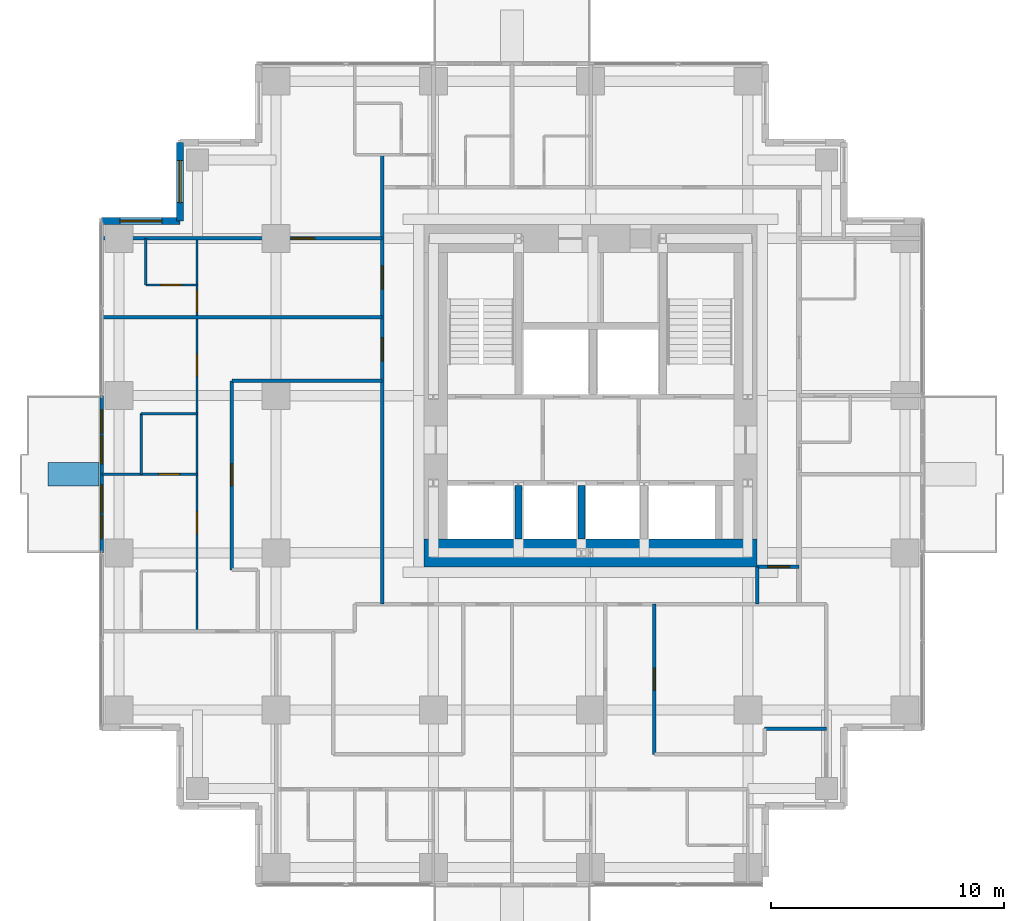
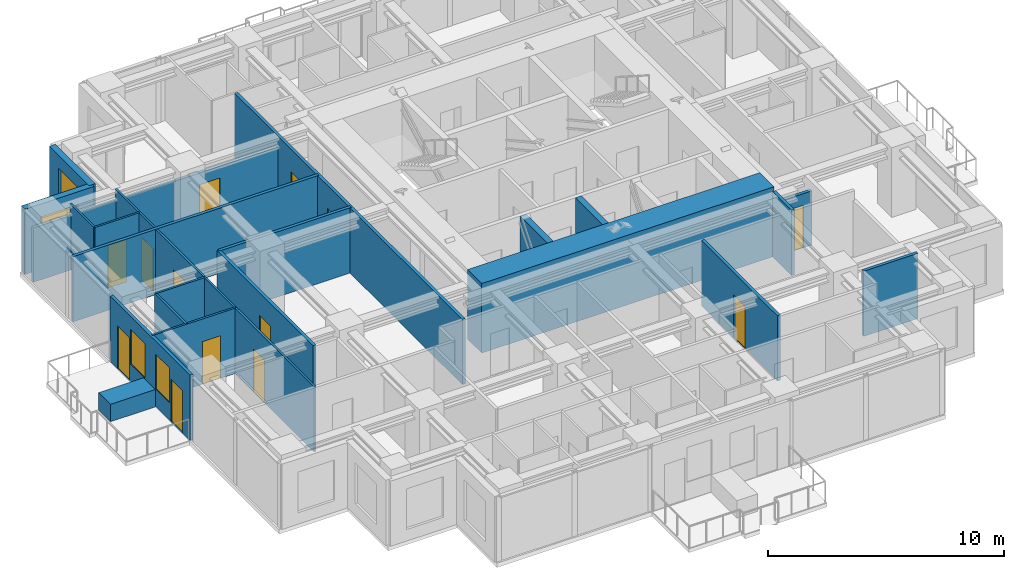
# One storey, part 6 of 10: 22 walls, 13 doors, 4 windows, 17 openings.
"""IFC4 building model written with IfcOpenShell, lengths in metres."""

from ifc_helpers import new_model, si_unit, direction, frame, frame_2d, origin, place, context, subcontext, project, spatial, rectangle, extrude, material, layer, layer_set, type_object, element, fill, save


model = new_model("IFC4")

# Units and contexts
model_context = context("Model", 3, precision=1e-05, world=origin(), true_north=direction((0.0, 1.0)))
body_context = subcontext(model_context, "Body", "Model", "MODEL_VIEW")
ifc_project = project(units=[si_unit("LENGTHUNIT", "METRE"), si_unit("AREAUNIT", "SQUARE_METRE"), si_unit("VOLUMEUNIT", "CUBIC_METRE"), si_unit("PLANEANGLEUNIT", "RADIAN"), si_unit("MASSUNIT", "GRAM", prefix="KILO")], contexts=[model_context])

# Site, building, storey
site_placement = place(None, origin())
site = spatial("IfcSite", under=ifc_project, at=site_placement, CompositionType="ELEMENT")
building_placement = place(site_placement, origin())
building = spatial("IfcBuilding", under=site, at=building_placement, Name="Nyansa Garden Tower", CompositionType="ELEMENT")
storey_placement = place(building_placement, frame((0.0, 0.0, 178.199951171875)))
storey = spatial("IfcBuildingStorey", under=building, at=storey_placement, Name="L48", CompositionType="ELEMENT", Elevation=178.199951171875)

# Wall, openings, doors, windows
ifc_material_1 = material(Name="Black aluminium framed glazed screen", Category="aluminium")
ifc_layer_1 = layer(ifc_material_1, 0.14990234375)
ifc_layer_set_1 = layer_set([ifc_layer_1], Name="Balcony screen wall BW150")
wall_type_1 = type_object("IfcWallType", Name="Balcony screen wall BW150", PredefinedType="SOLIDWALL", material=ifc_layer_set_1)
wall_1_placement = place(storey_placement, frame((-0.75, 13.5, 0.0), z_axis=(0.0, 0.0, 1.0), x_axis=(0.0, 1.0, 0.0)))
wall_1 = element("IfcWall", 1, at=wall_1_placement, inside=storey, type_object=wall_type_1, Name="Glazed screen wall L48 W", PredefinedType="SOLIDWALL", context=body_context, shape_type="SweptSolid", body=[
    extrude(rectangle(XDim=6.75, YDim=0.14990234375, at=frame_2d((3.375, 0.0))), origin(), (0.0, 0.0, 1.0), 3.375),
])
opening_1_placement = place(wall_1_placement, frame((0.612548828125, 0.0, 0.0)))
opening_1 = element("IfcOpeningElement", 2, at=opening_1_placement, cuts=wall_1, Name="Opening D20", PredefinedType="OPENING", context=body_context, shape_type="SweptSolid", body=[
    extrude(rectangle(XDim=1.0, YDim=2.199951171875, at=frame_2d((0.5, 1.10009765625))), frame((0.0, 0.0849609375, 0.0), z_axis=(0.0, -1.0, 0.0), x_axis=(1.0, 0.0, 0.0)), (0.0, 0.0, 1.0), 0.169921875),
])
opening_2_placement = place(wall_1_placement, frame((1.72509765625, 0.0, 0.89990234375)))
opening_2 = element("IfcOpeningElement", 3, at=opening_2_placement, cuts=wall_1, Name="Opening W6", PredefinedType="OPENING", context=body_context, shape_type="SweptSolid", body=[
    extrude(rectangle(XDim=1.199951171875, YDim=1.800048828125, at=frame_2d((0.60009765625, 0.89990234375))), frame((0.0, 0.0849609375, 0.0), z_axis=(0.0, -1.0, 0.0), x_axis=(1.0, 0.0, 0.0)), (0.0, 0.0, 1.0), 0.169921875),
])
opening_3_placement = place(wall_1_placement, frame((5.137451171875, 0.0, 0.0)))
opening_3 = element("IfcOpeningElement", 4, at=opening_3_placement, cuts=wall_1, Name="Opening D20", PredefinedType="OPENING", context=body_context, shape_type="SweptSolid", body=[
    extrude(rectangle(XDim=1.0, YDim=2.199951171875, at=frame_2d((0.5, 1.10009765625))), frame((0.0, 0.0849609375, 0.0), z_axis=(0.0, -1.0, 0.0), x_axis=(1.0, 0.0, 0.0)), (0.0, 0.0, 1.0), 0.169921875),
])
opening_4_placement = place(wall_1_placement, frame((3.824951171875, 0.0, 0.89990234375)))
opening_4 = element("IfcOpeningElement", 5, at=opening_4_placement, cuts=wall_1, Name="Opening W6", PredefinedType="OPENING", context=body_context, shape_type="SweptSolid", body=[
    extrude(rectangle(XDim=1.199951171875, YDim=1.800048828125, at=frame_2d((0.60009765625, 0.89990234375))), frame((0.0, 0.0849609375, 0.0), z_axis=(0.0, -1.0, 0.0), x_axis=(1.0, 0.0, 0.0)), (0.0, 0.0, 1.0), 0.169921875),
])
ifc_material_2 = material(Name="Black aluminium framed glazed door", Category="aluminium")
door_type_1 = type_object("IfcDoorType", Name="Balcony door D20 1000x2200", OperationType="NOTDEFINED", PredefinedType="DOOR", material=ifc_material_2)
door_1_placement = place(opening_1_placement, origin())
door_1 = element("IfcDoor", 6, at=door_1_placement, inside=storey, type_object=door_type_1, Name="Balcony door L48", OperationType="SINGLE_SWING_LEFT", OverallHeight=2.199951171875, OverallWidth=1.0, PredefinedType="DOOR", context=body_context, shape_type="SweptSolid", body=[
    extrude(rectangle(XDim=1.0, YDim=2.199951171875, at=frame_2d((0.5, 1.10009765625))), frame((0.0, 0.02490234375, 0.0), z_axis=(0.0, -1.0, 0.0), x_axis=(1.0, 0.0, 0.0)), (0.0, 0.0, 1.0), 0.050048828125),
])
fill(opening_1, door_1)
door_2_placement = place(opening_3_placement, origin())
door_2 = element("IfcDoor", 7, at=door_2_placement, inside=storey, type_object=door_type_1, Name="Balcony door L48", OperationType="SINGLE_SWING_RIGHT", OverallHeight=2.199951171875, OverallWidth=1.0, PredefinedType="DOOR", context=body_context, shape_type="SweptSolid", body=[
    extrude(rectangle(XDim=1.0, YDim=2.199951171875, at=frame_2d((0.5, 1.10009765625))), frame((0.0, 0.02490234375, 0.0), z_axis=(0.0, -1.0, 0.0), x_axis=(1.0, 0.0, 0.0)), (0.0, 0.0, 1.0), 0.050048828125),
])
fill(opening_3, door_2)
ifc_material_3 = material(Name="Black aluminium frame, dark tinted double glazing", Category="aluminium")
window_type_1 = type_object("IfcWindowType", Name="Balcony window W6 1200x1800", PartitioningType="SINGLE_PANEL", PredefinedType="WINDOW", material=ifc_material_3)
window_1_placement = place(opening_2_placement, origin())
window_1 = element("IfcWindow", 8, at=window_1_placement, inside=storey, type_object=window_type_1, Name="Window L48", OverallHeight=1.800048828125, OverallWidth=1.199951171875, PartitioningType="SINGLE_PANEL", PredefinedType="WINDOW", context=body_context, shape_type="SweptSolid", body=[
    extrude(rectangle(XDim=1.199951171875, YDim=1.800048828125, at=frame_2d((0.60009765625, 0.89990234375))), frame((0.0, 0.030029296875, 0.0), z_axis=(0.0, -1.0, 0.0), x_axis=(1.0, 0.0, 0.0)), (0.0, 0.0, 1.0), 0.06005859375),
])
fill(opening_2, window_1)
window_2_placement = place(opening_4_placement, origin())
window_2 = element("IfcWindow", 9, at=window_2_placement, inside=storey, type_object=window_type_1, Name="Window L48", OverallHeight=1.800048828125, OverallWidth=1.199951171875, PartitioningType="SINGLE_PANEL", PredefinedType="WINDOW", context=body_context, shape_type="SweptSolid", body=[
    extrude(rectangle(XDim=1.199951171875, YDim=1.800048828125, at=frame_2d((0.60009765625, 0.89990234375))), frame((0.0, 0.030029296875, 0.0), z_axis=(0.0, -1.0, 0.0), x_axis=(1.0, 0.0, 0.0)), (0.0, 0.0, 1.0), 0.06005859375),
])
fill(opening_4, window_2)

# Walls
ifc_material_4 = material(Name="Concrete C70/85", Category="concrete")
ifc_layer_2 = layer(ifc_material_4, 0.300048828125)
ifc_layer_set_2 = layer_set([ifc_layer_2], Name="Core inner wall CI300")
wall_type_2 = type_object("IfcWallType", Name="Core inner wall CI300", PredefinedType="SHEAR", material=ifc_layer_set_2)
for number, where, z_axis, x_axis, name in (
    (10, (17.14990234375, 14.10009765625, 0.0), (0.0, 0.0, 1.0), (0.0, 1.0, 0.0), "Core inner wall L48"),
    (11, (19.85009765625, 14.10009765625, 0.0), (0.0, 0.0, 1.0), (0.0, 1.0, 0.0), "Core inner wall L48"),
):
    element("IfcWall", number, at=place(storey_placement, frame(where, z_axis=z_axis, x_axis=x_axis)), inside=storey, type_object=wall_type_2, Name=name, PredefinedType="SHEAR", context=body_context, shape_type="SweptSolid", body=[
        extrude(rectangle(XDim=2.2998046875, YDim=0.300048828125, at=frame_2d((1.14990234375, 0.0))), origin(), (0.0, 0.0, 1.0), 3.60009765625),
    ])
ifc_material_5 = material(Name="Concrete C80/95", Category="concrete")
ifc_layer_3 = layer(ifc_material_5, 1.199951171875)
ifc_layer_set_3 = layer_set([ifc_layer_3], Name="Core wall CW1200")
wall_type_3 = type_object("IfcWallType", Name="Core wall CW1200", PredefinedType="SHEAR", material=ifc_layer_set_3)
wall_2_placement = place(storey_placement, frame((13.10009765625, 13.5, 0.0), z_axis=(0.0, 0.0, 1.0), x_axis=(1.0, 0.0, 0.0)))
element("IfcWall", 12, at=wall_2_placement, inside=storey, type_object=wall_type_3, Name="Core wall S L48", PredefinedType="SHEAR", context=body_context, shape_type="SweptSolid", body=[
    extrude(rectangle(XDim=14.2998046875, YDim=1.199951171875, at=frame_2d((7.14990234375, 0.0))), origin(), (0.0, 0.0, 1.0), 3.60009765625),
])
ifc_material_6 = material(Name="Blockwork, plastered both sides", Category="masonry")
ifc_layer_4 = layer(ifc_material_6, 0.14990234375)
ifc_layer_set_4 = layer_set([ifc_layer_4], Name="Partition PW150")
wall_type_4 = type_object("IfcWallType", Name="Partition PW150", PredefinedType="PARTITIONING", material=ifc_layer_set_4)
wall_3_placement = place(storey_placement, frame((-0.73388671875, 23.625, 0.0), z_axis=(0.0, 0.0, 1.0), x_axis=(1.0, 0.0, 0.0)))
element("IfcWall", 13, at=wall_3_placement, inside=storey, type_object=wall_type_4, Name="Partition", PredefinedType="PARTITIONING", context=body_context, shape_type="SweptSolid", body=[
    extrude(rectangle(XDim=12.033935546875, YDim=0.14990234375, at=frame_2d((6.01708984375, 0.0))), origin(), (0.0, 0.0, 1.0), 3.375),
])

# Wall, opening, door
wall_4_placement = place(storey_placement, frame((-0.73388671875, 27.0, 0.0), z_axis=(0.0, 0.0, 1.0), x_axis=(1.0, 0.0, 0.0)))
wall_4 = element("IfcWall", 14, at=wall_4_placement, inside=storey, type_object=wall_type_4, Name="Partition", PredefinedType="PARTITIONING", context=body_context, shape_type="SweptSolid", body=[
    extrude(rectangle(XDim=12.033935546875, YDim=0.14990234375, at=frame_2d((6.01708984375, 0.0))), origin(), (0.0, 0.0, 1.0), 2.80615234375),
])
opening_5_placement = place(wall_4_placement, frame((8.134033203125, 0.0, 0.0)))
opening_5 = element("IfcOpeningElement", 15, at=opening_5_placement, cuts=wall_4, Name="Opening D03", PredefinedType="OPENING", context=body_context, shape_type="SweptSolid", body=[
    extrude(rectangle(XDim=1.0, YDim=2.199951171875, at=frame_2d((0.5, 1.10009765625))), frame((0.0, 0.0849609375, 0.0), z_axis=(0.0, -1.0, 0.0), x_axis=(1.0, 0.0, 0.0)), (0.0, 0.0, 1.0), 0.169921875),
])
ifc_material_7 = material(Name="Timber flush door, 60 minute fire resisting", Category="wood")
door_type_2 = type_object("IfcDoorType", Name="Cluster entrance door D03 1000x2200", OperationType="SINGLE_SWING_LEFT", PredefinedType="DOOR", material=ifc_material_7)
door_3_placement = place(opening_5_placement, origin())
door_3 = element("IfcDoor", 16, at=door_3_placement, inside=storey, type_object=door_type_2, Name="Door L48-047", OperationType="SINGLE_SWING_LEFT", OverallHeight=2.199951171875, OverallWidth=1.0, PredefinedType="DOOR", context=body_context, shape_type="SweptSolid", body=[
    extrude(rectangle(XDim=1.0, YDim=2.199951171875, at=frame_2d((0.5, 1.10009765625))), frame((0.0, 0.02490234375, 0.0), z_axis=(0.0, -1.0, 0.0), x_axis=(1.0, 0.0, 0.0)), (0.0, 0.0, 1.0), 0.050048828125),
])
fill(opening_5, door_3)

wall_5_placement = place(storey_placement, frame((4.85009765625, 12.77490234375, 0.0), z_axis=(0.0, 0.0, 1.0), x_axis=(0.0, 1.0, 0.0)))
wall_5 = element("IfcWall", 17, at=wall_5_placement, inside=storey, type_object=wall_type_4, Name="Partition", PredefinedType="PARTITIONING", context=body_context, shape_type="SweptSolid", body=[
    extrude(rectangle(XDim=8.112548828125, YDim=0.14990234375, at=frame_2d((4.05615234375, 0.0))), origin(), (0.0, 0.0, 1.0), 3.375),
])
opening_6_placement = place(wall_5_placement, frame((3.60009765625, 0.0, 0.0)))
opening_6 = element("IfcOpeningElement", 18, at=opening_6_placement, cuts=wall_5, Name="Opening D01", PredefinedType="OPENING", context=body_context, shape_type="SweptSolid", body=[
    extrude(rectangle(XDim=0.949951171875, YDim=2.199951171875, at=frame_2d((0.47509765625, 1.10009765625))), frame((0.0, 0.0849609375, 0.0), z_axis=(0.0, -1.0, 0.0), x_axis=(1.0, 0.0, 0.0)), (0.0, 0.0, 1.0), 0.169921875),
])
ifc_material_8 = material(Name="Timber flush door, 30 minute fire resisting", Category="wood")
door_type_3 = type_object("IfcDoorType", Name="Bedroom door D01 950x2200", OperationType="SINGLE_SWING_LEFT", PredefinedType="DOOR", material=ifc_material_8)
door_4_placement = place(opening_6_placement, origin())
door_4 = element("IfcDoor", 19, at=door_4_placement, inside=storey, type_object=door_type_3, Name="Door L48-056", OperationType="SINGLE_SWING_LEFT", OverallHeight=2.199951171875, OverallWidth=0.949951171875, PredefinedType="DOOR", context=body_context, shape_type="SweptSolid", body=[
    extrude(rectangle(XDim=0.949951171875, YDim=2.199951171875, at=frame_2d((0.47509765625, 1.10009765625))), frame((0.0, 0.02490234375, 0.0), z_axis=(0.0, -1.0, 0.0), x_axis=(1.0, 0.0, 0.0)), (0.0, 0.0, 1.0), 0.050048828125),
])
fill(opening_6, door_4)

# Wall
wall_6_placement = place(storey_placement, frame((4.85009765625, 20.886962890625, 0.0), z_axis=(0.0, 0.0, 1.0), x_axis=(1.0, 0.0, 0.0)))
element("IfcWall", 20, at=wall_6_placement, inside=storey, type_object=wall_type_4, Name="Partition", PredefinedType="PARTITIONING", context=body_context, shape_type="SweptSolid", body=[
    extrude(rectangle(XDim=6.449951171875, YDim=0.14990234375, at=frame_2d((3.22509765625, 0.0))), origin(), (0.0, 0.0, 1.0), 3.375),
])

# Wall, openings, doors
wall_7_placement = place(storey_placement, frame((11.300048828125, 11.300048828125, 0.0), z_axis=(0.0, 0.0, 1.0), x_axis=(0.0, 1.0, 0.0)))
wall_7 = element("IfcWall", 21, at=wall_7_placement, inside=storey, type_object=wall_type_4, Name="Partition", PredefinedType="PARTITIONING", context=body_context, shape_type="SweptSolid", body=[
    extrude(rectangle(XDim=19.300048828125, YDim=0.14990234375, at=frame_2d((9.64990234375, 0.0))), origin(), (0.0, 0.0, 1.0), 3.375),
])
opening_7_placement = place(wall_7_placement, frame((13.52490234375, 0.0, 0.0)))
opening_7 = element("IfcOpeningElement", 22, at=opening_7_placement, cuts=wall_7, Name="Opening D03", PredefinedType="OPENING", context=body_context, shape_type="SweptSolid", body=[
    extrude(rectangle(XDim=1.0, YDim=2.199951171875, at=frame_2d((0.5, 1.10009765625))), frame((0.0, 0.0849609375, 0.0), z_axis=(0.0, -1.0, 0.0), x_axis=(1.0, 0.0, 0.0)), (0.0, 0.0, 1.0), 0.169921875),
])
opening_8_placement = place(wall_7_placement, frame((10.4375, 0.0, 0.0)))
opening_8 = element("IfcOpeningElement", 23, at=opening_8_placement, cuts=wall_7, Name="Opening D03", PredefinedType="OPENING", context=body_context, shape_type="SweptSolid", body=[
    extrude(rectangle(XDim=1.0, YDim=2.199951171875, at=frame_2d((0.5, 1.10009765625))), frame((0.0, 0.0849609375, 0.0), z_axis=(0.0, -1.0, 0.0), x_axis=(1.0, 0.0, 0.0)), (0.0, 0.0, 1.0), 0.169921875),
])
door_5_placement = place(opening_7_placement, origin())
door_5 = element("IfcDoor", 24, at=door_5_placement, inside=storey, type_object=door_type_2, Name="Door L48-050", OperationType="SINGLE_SWING_LEFT", OverallHeight=2.199951171875, OverallWidth=1.0, PredefinedType="DOOR", context=body_context, shape_type="SweptSolid", body=[
    extrude(rectangle(XDim=1.0, YDim=2.199951171875, at=frame_2d((0.5, 1.10009765625))), frame((0.0, 0.02490234375, 0.0), z_axis=(0.0, -1.0, 0.0), x_axis=(1.0, 0.0, 0.0)), (0.0, 0.0, 1.0), 0.050048828125),
])
fill(opening_7, door_5)
door_6_placement = place(opening_8_placement, origin())
door_6 = element("IfcDoor", 25, at=door_6_placement, inside=storey, type_object=door_type_2, Name="Door L48-055", OperationType="SINGLE_SWING_LEFT", OverallHeight=2.199951171875, OverallWidth=1.0, PredefinedType="DOOR", context=body_context, shape_type="SweptSolid", body=[
    extrude(rectangle(XDim=1.0, YDim=2.199951171875, at=frame_2d((0.5, 1.10009765625))), frame((0.0, 0.02490234375, 0.0), z_axis=(0.0, -1.0, 0.0), x_axis=(1.0, 0.0, 0.0)), (0.0, 0.0, 1.0), 0.050048828125),
])
fill(opening_8, door_6)

# Wall, opening, door
wall_8_placement = place(storey_placement, frame((22.988037109375, 4.85009765625, 0.0), z_axis=(0.0, 0.0, 1.0), x_axis=(0.0, 1.0, 0.0)))
wall_8 = element("IfcWall", 26, at=wall_8_placement, inside=storey, type_object=wall_type_4, Name="Partition", PredefinedType="PARTITIONING", context=body_context, shape_type="SweptSolid", body=[
    extrude(rectangle(XDim=6.449951171875, YDim=0.14990234375, at=frame_2d((3.22509765625, 0.0))), origin(), (0.0, 0.0, 1.0), 3.375),
])
opening_9_placement = place(wall_8_placement, frame((2.75, 0.0, 0.0)))
opening_9 = element("IfcOpeningElement", 27, at=opening_9_placement, cuts=wall_8, Name="Opening D01", PredefinedType="OPENING", context=body_context, shape_type="SweptSolid", body=[
    extrude(rectangle(XDim=0.949951171875, YDim=2.199951171875, at=frame_2d((0.47509765625, 1.10009765625))), frame((0.0, 0.0849609375, 0.0), z_axis=(0.0, -1.0, 0.0), x_axis=(1.0, 0.0, 0.0)), (0.0, 0.0, 1.0), 0.169921875),
])
door_7_placement = place(opening_9_placement, origin())
door_7 = element("IfcDoor", 28, at=door_7_placement, inside=storey, type_object=door_type_3, Name="Door L48-032", OperationType="SINGLE_SWING_LEFT", OverallHeight=2.199951171875, OverallWidth=0.949951171875, PredefinedType="DOOR", context=body_context, shape_type="SweptSolid", body=[
    extrude(rectangle(XDim=0.949951171875, YDim=2.199951171875, at=frame_2d((0.47509765625, 1.10009765625))), frame((0.0, 0.02490234375, 0.0), z_axis=(0.0, -1.0, 0.0), x_axis=(1.0, 0.0, 0.0)), (0.0, 0.0, 1.0), 0.050048828125),
])
fill(opening_9, door_7)

# Wall
wall_9_placement = place(storey_placement, frame((27.39990234375, 11.300048828125, 0.0), z_axis=(0.0, 0.0, 1.0), x_axis=(0.0, 1.0, 0.0)))
element("IfcWall", 29, at=wall_9_placement, inside=storey, type_object=wall_type_4, Name="Partition", PredefinedType="PARTITIONING", context=body_context, shape_type="SweptSolid", body=[
    extrude(rectangle(XDim=1.599853515625, YDim=0.14990234375, at=frame_2d((0.7998046875, 0.0))), origin(), (0.0, 0.0, 1.0), 3.375),
])

# Wall, opening, door
wall_10_placement = place(storey_placement, frame((27.39990234375, 12.89990234375, 0.0), z_axis=(0.0, 0.0, 1.0), x_axis=(1.0, 0.0, 0.0)))
wall_10 = element("IfcWall", 30, at=wall_10_placement, inside=storey, type_object=wall_type_4, Name="Partition", PredefinedType="PARTITIONING", context=body_context, shape_type="SweptSolid", body=[
    extrude(rectangle(XDim=1.800048828125, YDim=0.14990234375, at=frame_2d((0.89990234375, 0.0))), origin(), (0.0, 0.0, 1.0), 2.80615234375),
])
opening_10_placement = place(wall_10_placement, frame((0.449951171875, 0.0, 0.0)))
opening_10 = element("IfcOpeningElement", 31, at=opening_10_placement, cuts=wall_10, Name="Opening D01", PredefinedType="OPENING", context=body_context, shape_type="SweptSolid", body=[
    extrude(rectangle(XDim=0.949951171875, YDim=2.199951171875, at=frame_2d((0.47509765625, 1.10009765625))), frame((0.0, 0.0849609375, 0.0), z_axis=(0.0, -1.0, 0.0), x_axis=(1.0, 0.0, 0.0)), (0.0, 0.0, 1.0), 0.169921875),
])
door_8_placement = place(opening_10_placement, origin())
door_8 = element("IfcDoor", 32, at=door_8_placement, inside=storey, type_object=door_type_3, Name="Door L48-016", OperationType="SINGLE_SWING_LEFT", OverallHeight=2.199951171875, OverallWidth=0.949951171875, PredefinedType="DOOR", context=body_context, shape_type="SweptSolid", body=[
    extrude(rectangle(XDim=0.949951171875, YDim=2.199951171875, at=frame_2d((0.47509765625, 1.10009765625))), frame((0.0, 0.02490234375, 0.0), z_axis=(0.0, -1.0, 0.0), x_axis=(1.0, 0.0, 0.0)), (0.0, 0.0, 1.0), 0.050048828125),
])
fill(opening_10, door_8)

# Wall
wall_11_placement = place(storey_placement, frame((27.72509765625, 5.949951171875, 0.0), z_axis=(0.0, 0.0, 1.0), x_axis=(1.0, 0.0, 0.0)))
element("IfcWall", 33, at=wall_11_placement, inside=storey, type_object=wall_type_4, Name="Partition", PredefinedType="PARTITIONING", context=body_context, shape_type="SweptSolid", body=[
    extrude(rectangle(XDim=2.64990234375, YDim=0.14990234375, at=frame_2d((1.324951171875, 0.0))), origin(), (0.0, 0.0, 1.0), 3.375),
])

# Wall, opening, window
ifc_material_9 = material(Name="Turquoise glazed tile on concrete blockwork", Category="masonry")
ifc_layer_5 = layer(ifc_material_9, 0.300048828125)
ifc_layer_set_5 = layer_set([ifc_layer_5], Name="Tiled corner wall TW300")
wall_type_5 = type_object("IfcWallType", Name="Tiled corner wall TW300", PredefinedType="SOLIDWALL", material=ifc_layer_set_5)
wall_12_placement = place(storey_placement, frame((2.625, 31.125, 0.0), z_axis=(0.0, 0.0, 1.0), x_axis=(0.0, -1.0, 0.0)))
wall_12 = element("IfcWall", 34, at=wall_12_placement, inside=storey, type_object=wall_type_5, Name="Tiled corner wall L48", PredefinedType="SOLIDWALL", context=body_context, shape_type="SweptSolid", body=[
    extrude(rectangle(XDim=3.375, YDim=0.300048828125, at=frame_2d((1.6875, 0.0))), origin(), (0.0, 0.0, 1.0), 3.375),
])
opening_11_placement = place(wall_12_placement, frame((0.78759765625, 0.0, 0.60009765625)))
opening_11 = element("IfcOpeningElement", 35, at=opening_11_placement, cuts=wall_12, Name="Opening W2", PredefinedType="OPENING", context=body_context, shape_type="SweptSolid", body=[
    extrude(rectangle(XDim=1.800048828125, YDim=2.10009765625, at=frame_2d((0.89990234375, 1.050048828125))), frame((0.0, 0.159912109375, 0.0), z_axis=(0.0, -1.0, 0.0), x_axis=(1.0, 0.0, 0.0)), (0.0, 0.0, 1.0), 0.320068359375),
])
ifc_material_10 = material(Name="Black aluminium frame, dark tinted double glazing", Category="aluminium")
window_type_2 = type_object("IfcWindowType", Name="Window W2 1800x2100", PartitioningType="SINGLE_PANEL", PredefinedType="WINDOW", material=ifc_material_10)
window_3_placement = place(opening_11_placement, origin())
window_3 = element("IfcWindow", 36, at=window_3_placement, inside=storey, type_object=window_type_2, Name="Corner window L48", OverallHeight=2.10009765625, OverallWidth=1.800048828125, PartitioningType="SINGLE_PANEL", PredefinedType="WINDOW", context=body_context, shape_type="SweptSolid", body=[
    extrude(rectangle(XDim=1.800048828125, YDim=2.10009765625, at=frame_2d((0.89990234375, 1.050048828125))), frame((0.0, 0.030029296875, 0.0), z_axis=(0.0, -1.0, 0.0), x_axis=(1.0, 0.0, 0.0)), (0.0, 0.0, 1.0), 0.06005859375),
])
fill(opening_11, window_3)

wall_13_placement = place(storey_placement, frame((2.625, 27.75, 0.0), z_axis=(0.0, 0.0, 1.0), x_axis=(-1.0, 0.0, 0.0)))
wall_13 = element("IfcWall", 37, at=wall_13_placement, inside=storey, type_object=wall_type_5, Name="Tiled corner wall L48", PredefinedType="SOLIDWALL", context=body_context, shape_type="SweptSolid", body=[
    extrude(rectangle(XDim=3.375, YDim=0.300048828125, at=frame_2d((1.6875, 0.0))), origin(), (0.0, 0.0, 1.0), 3.375),
])
opening_12_placement = place(wall_13_placement, frame((0.78759765625, 0.0, 0.60009765625)))
opening_12 = element("IfcOpeningElement", 38, at=opening_12_placement, cuts=wall_13, Name="Opening W2", PredefinedType="OPENING", context=body_context, shape_type="SweptSolid", body=[
    extrude(rectangle(XDim=1.800048828125, YDim=2.10009765625, at=frame_2d((0.89990234375, 1.050048828125))), frame((0.0, 0.159912109375, 0.0), z_axis=(0.0, -1.0, 0.0), x_axis=(1.0, 0.0, 0.0)), (0.0, 0.0, 1.0), 0.320068359375),
])
window_4_placement = place(opening_12_placement, origin())
window_4 = element("IfcWindow", 39, at=window_4_placement, inside=storey, type_object=window_type_2, Name="Corner window L48", OverallHeight=2.10009765625, OverallWidth=1.800048828125, PartitioningType="SINGLE_PANEL", PredefinedType="WINDOW", context=body_context, shape_type="SweptSolid", body=[
    extrude(rectangle(XDim=1.800048828125, YDim=2.10009765625, at=frame_2d((0.89990234375, 1.050048828125))), frame((0.0, 0.030029296875, 0.0), z_axis=(0.0, -1.0, 0.0), x_axis=(1.0, 0.0, 0.0)), (0.0, 0.0, 1.0), 0.06005859375),
])
fill(opening_12, window_4)

# Wall
ifc_material_11 = material(Name="Concrete C40/50 planter, waterproofed", Category="concrete")
ifc_layer_6 = layer(ifc_material_11, 1.0)
ifc_layer_set_6 = layer_set([ifc_layer_6], Name="Tree planter TP1")
wall_type_6 = type_object("IfcWallType", Name="Tree planter TP1", PredefinedType="USERDEFINED", material=ifc_layer_set_6)
wall_14_placement = place(storey_placement, frame((-0.85009765625, 16.875, 0.0), z_axis=(0.0, 0.0, 1.0), x_axis=(-1.0, 0.0, 0.0)))
element("IfcWall", 40, at=wall_14_placement, inside=storey, type_object=wall_type_6, Name="Tree planter L48", ObjectType="TREE PLANTER", PredefinedType="USERDEFINED", context=body_context, shape_type="SweptSolid", body=[
    extrude(rectangle(XDim=2.199951171875, YDim=1.0, at=frame_2d((1.10009765625, 0.0))), origin(), (0.0, 0.0, 1.0), 0.900146484375),
])

# Wall, opening, door
ifc_material_12 = material(Name="Moisture resistant board on steel studs, tiled", Category="steel")
ifc_layer_7 = layer(ifc_material_12, 0.10009765625)
ifc_layer_set_7 = layer_set([ifc_layer_7], Name="Wet wall PW100")
wall_type_7 = type_object("IfcWallType", Name="Wet wall PW100", PredefinedType="PARTITIONING", material=ifc_layer_set_7)
wall_15_placement = place(storey_placement, frame((-0.73388671875, 16.875, 0.0), z_axis=(0.0, 0.0, 1.0), x_axis=(1.0, 0.0, 0.0)))
wall_15 = element("IfcWall", 41, at=wall_15_placement, inside=storey, type_object=wall_type_7, Name="Wet wall", PredefinedType="PARTITIONING", context=body_context, shape_type="SweptSolid", body=[
    extrude(rectangle(XDim=4.083984375, YDim=0.10009765625, at=frame_2d((2.0419921875, 0.0))), origin(), (0.0, 0.0, 1.0), 3.375),
])
opening_13_placement = place(wall_15_placement, frame((2.43408203125, 0.0, 0.0)))
opening_13 = element("IfcOpeningElement", 42, at=opening_13_placement, cuts=wall_15, Name="Opening D02", PredefinedType="OPENING", context=body_context, shape_type="SweptSolid", body=[
    extrude(rectangle(XDim=0.89990234375, YDim=2.199951171875, at=frame_2d((0.449951171875, 1.10009765625))), frame((0.0, 0.06005859375, 0.0), z_axis=(0.0, -1.0, 0.0), x_axis=(1.0, 0.0, 0.0)), (0.0, 0.0, 1.0), 0.1201171875),
])
ifc_material_13 = material(Name="Timber flush door", Category="wood")
door_type_4 = type_object("IfcDoorType", Name="En-suite door D02 900x2200", OperationType="SINGLE_SWING_RIGHT", PredefinedType="DOOR", material=ifc_material_13)
door_9_placement = place(opening_13_placement, origin())
door_9 = element("IfcDoor", 43, at=door_9_placement, inside=storey, type_object=door_type_4, Name="Door L48-054", OperationType="SINGLE_SWING_RIGHT", OverallHeight=2.199951171875, OverallWidth=0.89990234375, PredefinedType="DOOR", context=body_context, shape_type="SweptSolid", body=[
    extrude(rectangle(XDim=0.89990234375, YDim=2.199951171875, at=frame_2d((0.449951171875, 1.10009765625))), frame((0.0, 0.02490234375, 0.0), z_axis=(0.0, -1.0, 0.0), x_axis=(1.0, 0.0, 0.0)), (0.0, 0.0, 1.0), 0.050048828125),
])
fill(opening_13, door_9)

# Walls
wall_16_placement = place(storey_placement, frame((0.949951171875, 16.875, 0.0), z_axis=(0.0, 0.0, 1.0), x_axis=(0.0, 1.0, 0.0)))
element("IfcWall", 44, at=wall_16_placement, inside=storey, type_object=wall_type_7, Name="Wet wall", PredefinedType="PARTITIONING", context=body_context, shape_type="SweptSolid", body=[
    extrude(rectangle(XDim=2.60009765625, YDim=0.10009765625, at=frame_2d((1.300048828125, 0.0))), origin(), (0.0, 0.0, 1.0), 3.375),
])
wall_17_placement = place(storey_placement, frame((0.949951171875, 19.47509765625, 0.0), z_axis=(0.0, 0.0, 1.0), x_axis=(1.0, 0.0, 0.0)))
element("IfcWall", 45, at=wall_17_placement, inside=storey, type_object=wall_type_7, Name="Wet wall", PredefinedType="PARTITIONING", context=body_context, shape_type="SweptSolid", body=[
    extrude(rectangle(XDim=2.400146484375, YDim=0.10009765625, at=frame_2d((1.2001953125, 0.0))), origin(), (0.0, 0.0, 1.0), 3.375),
])
wall_18_placement = place(storey_placement, frame((1.14990234375, 25.0, 0.0), z_axis=(0.0, 0.0, 1.0), x_axis=(0.0, 1.0, 0.0)))
element("IfcWall", 46, at=wall_18_placement, inside=storey, type_object=wall_type_7, Name="Wet wall", PredefinedType="PARTITIONING", context=body_context, shape_type="SweptSolid", body=[
    extrude(rectangle(XDim=2.0, YDim=0.10009765625, at=frame_2d((1.0, 0.0))), origin(), (0.0, 0.0, 1.0), 3.375),
])

# Wall, opening, door
wall_19_placement = place(storey_placement, frame((1.14990234375, 25.0, 0.0), z_axis=(0.0, 0.0, 1.0), x_axis=(1.0, 0.0, 0.0)))
wall_19 = element("IfcWall", 47, at=wall_19_placement, inside=storey, type_object=wall_type_7, Name="Wet wall", PredefinedType="PARTITIONING", context=body_context, shape_type="SweptSolid", body=[
    extrude(rectangle(XDim=2.2001953125, YDim=0.10009765625, at=frame_2d((1.10009765625, 0.0))), origin(), (0.0, 0.0, 1.0), 3.375),
])
opening_14_placement = place(wall_19_placement, frame((0.64990234375, 0.0, 0.0)))
opening_14 = element("IfcOpeningElement", 48, at=opening_14_placement, cuts=wall_19, Name="Opening D02", PredefinedType="OPENING", context=body_context, shape_type="SweptSolid", body=[
    extrude(rectangle(XDim=0.89990234375, YDim=2.199951171875, at=frame_2d((0.449951171875, 1.10009765625))), frame((0.0, 0.06005859375, 0.0), z_axis=(0.0, -1.0, 0.0), x_axis=(1.0, 0.0, 0.0)), (0.0, 0.0, 1.0), 0.1201171875),
])
door_10_placement = place(opening_14_placement, origin())
door_10 = element("IfcDoor", 49, at=door_10_placement, inside=storey, type_object=door_type_4, Name="Door L48-049", OperationType="SINGLE_SWING_RIGHT", OverallHeight=2.199951171875, OverallWidth=0.89990234375, PredefinedType="DOOR", context=body_context, shape_type="SweptSolid", body=[
    extrude(rectangle(XDim=0.89990234375, YDim=2.199951171875, at=frame_2d((0.449951171875, 1.10009765625))), frame((0.0, 0.02490234375, 0.0), z_axis=(0.0, -1.0, 0.0), x_axis=(1.0, 0.0, 0.0)), (0.0, 0.0, 1.0), 0.050048828125),
])
fill(opening_14, door_10)

# Wall, openings, doors
wall_20_placement = place(storey_placement, frame((3.35009765625, 10.125, 0.0), z_axis=(0.0, 0.0, 1.0), x_axis=(0.0, 1.0, 0.0)))
wall_20 = element("IfcWall", 50, at=wall_20_placement, inside=storey, type_object=wall_type_7, Name="Wet wall", PredefinedType="PARTITIONING", context=body_context, shape_type="SweptSolid", body=[
    extrude(rectangle(XDim=16.875, YDim=0.10009765625, at=frame_2d((8.4375, 0.0))), origin(), (0.0, 0.0, 1.0), 3.375),
])
opening_15_placement = place(wall_20_placement, frame((13.699951171875, 0.0, 0.0)))
opening_15 = element("IfcOpeningElement", 51, at=opening_15_placement, cuts=wall_20, Name="Opening D01", PredefinedType="OPENING", context=body_context, shape_type="SweptSolid", body=[
    extrude(rectangle(XDim=0.949951171875, YDim=2.199951171875, at=frame_2d((0.47509765625, 1.10009765625))), frame((0.0, 0.06005859375, 0.0), z_axis=(0.0, -1.0, 0.0), x_axis=(1.0, 0.0, 0.0)), (0.0, 0.0, 1.0), 0.1201171875),
])
opening_16_placement = place(wall_20_placement, frame((4.199951171875, 0.0, 0.0)))
opening_16 = element("IfcOpeningElement", 52, at=opening_16_placement, cuts=wall_20, Name="Opening D14", PredefinedType="OPENING", context=body_context, shape_type="SweptSolid", body=[
    extrude(rectangle(XDim=0.949951171875, YDim=2.199951171875, at=frame_2d((0.47509765625, 1.10009765625))), frame((0.0, 0.06005859375, 0.0), z_axis=(0.0, -1.0, 0.0), x_axis=(1.0, 0.0, 0.0)), (0.0, 0.0, 1.0), 0.1201171875),
])
opening_17_placement = place(wall_20_placement, frame((10.949951171875, 0.0, 0.0)))
opening_17 = element("IfcOpeningElement", 53, at=opening_17_placement, cuts=wall_20, Name="Opening D14", PredefinedType="OPENING", context=body_context, shape_type="SweptSolid", body=[
    extrude(rectangle(XDim=0.949951171875, YDim=2.199951171875, at=frame_2d((0.47509765625, 1.10009765625))), frame((0.0, 0.06005859375, 0.0), z_axis=(0.0, -1.0, 0.0), x_axis=(1.0, 0.0, 0.0)), (0.0, 0.0, 1.0), 0.1201171875),
])
door_11_placement = place(opening_15_placement, origin())
door_11 = element("IfcDoor", 54, at=door_11_placement, inside=storey, type_object=door_type_3, Name="Door L48-048", OperationType="SINGLE_SWING_LEFT", OverallHeight=2.199951171875, OverallWidth=0.949951171875, PredefinedType="DOOR", context=body_context, shape_type="SweptSolid", body=[
    extrude(rectangle(XDim=0.949951171875, YDim=2.199951171875, at=frame_2d((0.47509765625, 1.10009765625))), frame((0.0, 0.02490234375, 0.0), z_axis=(0.0, -1.0, 0.0), x_axis=(1.0, 0.0, 0.0)), (0.0, 0.0, 1.0), 0.050048828125),
])
fill(opening_15, door_11)
ifc_material_14 = material(Name="Timber flush door, 60 minute fire resisting, self-closing", Category="wood")
door_type_5 = type_object("IfcDoorType", Name="Studio entrance door D14 950x2200", OperationType="SINGLE_SWING_LEFT", PredefinedType="DOOR", material=ifc_material_14)
door_12_placement = place(opening_16_placement, origin())
door_12 = element("IfcDoor", 55, at=door_12_placement, inside=storey, type_object=door_type_5, Name="Door L48-051", OperationType="SINGLE_SWING_LEFT", OverallHeight=2.199951171875, OverallWidth=0.949951171875, PredefinedType="DOOR", context=body_context, shape_type="SweptSolid", body=[
    extrude(rectangle(XDim=0.949951171875, YDim=2.199951171875, at=frame_2d((0.47509765625, 1.10009765625))), frame((0.0, 0.02490234375, 0.0), z_axis=(0.0, -1.0, 0.0), x_axis=(1.0, 0.0, 0.0)), (0.0, 0.0, 1.0), 0.050048828125),
])
fill(opening_16, door_12)
door_13_placement = place(opening_17_placement, origin())
door_13 = element("IfcDoor", 56, at=door_13_placement, inside=storey, type_object=door_type_5, Name="Door L48-053", OperationType="SINGLE_SWING_LEFT", OverallHeight=2.199951171875, OverallWidth=0.949951171875, PredefinedType="DOOR", context=body_context, shape_type="SweptSolid", body=[
    extrude(rectangle(XDim=0.949951171875, YDim=2.199951171875, at=frame_2d((0.47509765625, 1.10009765625))), frame((0.0, 0.02490234375, 0.0), z_axis=(0.0, -1.0, 0.0), x_axis=(1.0, 0.0, 0.0)), (0.0, 0.0, 1.0), 0.050048828125),
])
fill(opening_17, door_13)

save(model, "model.ifc")
